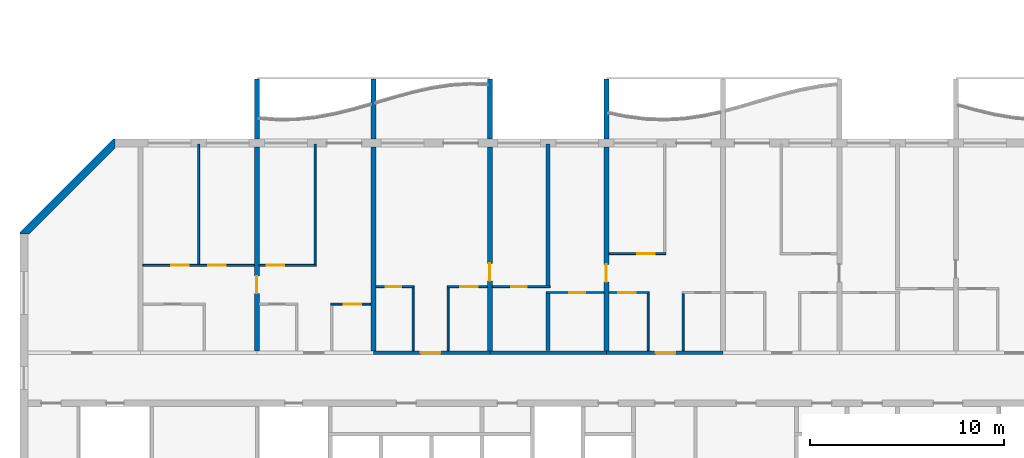
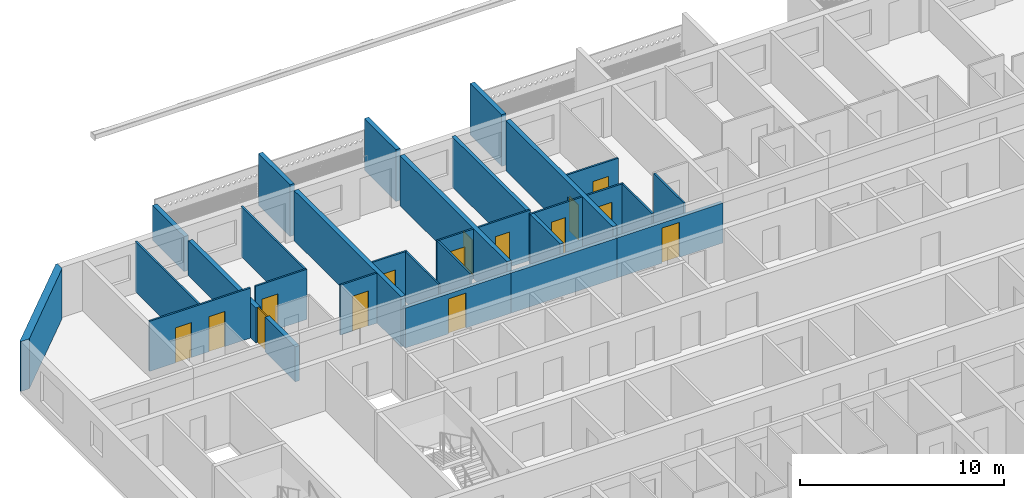
# One storey, part 10 of 20: 29 walls, 15 doors, 15 openings.
"""IFC4 building model written with IfcOpenShell, lengths in metres."""

from ifc_helpers import new_model, si_unit, direction, frame, frame_2d, origin, place, context, subcontext, project, spatial, polyline, rectangle, outline, extrude, source, transform, mapped, material, layer, layer_set, type_object, element, fill, save


model = new_model("IFC4")

# Units and contexts
model_context = context("Model", 3, precision=1e-05, world=origin(), true_north=direction((0.0, 1.0)))
body_context = subcontext(model_context, "Body", "Model", "MODEL_VIEW")
ifc_project = project(units=[si_unit("LENGTHUNIT", "METRE"), si_unit("AREAUNIT", "SQUARE_METRE"), si_unit("VOLUMEUNIT", "CUBIC_METRE"), si_unit("PLANEANGLEUNIT", "RADIAN"), si_unit("MASSUNIT", "GRAM", prefix="KILO")], contexts=[model_context])

# Site, building, storey
site_placement = place(None, origin())
site = spatial("IfcSite", under=ifc_project, at=site_placement, CompositionType="ELEMENT")
building_placement = place(site_placement, origin())
building = spatial("IfcBuilding", under=site, at=building_placement, Name="Poui Terraces", CompositionType="ELEMENT")
storey_placement = place(building_placement, frame((0.0, 0.0, 257.699951171875)))
storey = spatial("IfcBuildingStorey", under=building, at=storey_placement, Name="L72", CompositionType="ELEMENT", Elevation=257.699951171875)

# Wall, opening, door
ifc_material_1 = material(Name="Concrete 50 MPa", Category="concrete")
ifc_layer_1 = layer(ifc_material_1, 0.199951171875)
ifc_layer_set_1 = layer_set([ifc_layer_1], Name="Concrete 50 MPa")
wall_type_1 = type_object("IfcWallType", Name="CORRIDOR WALL 200 50MPa", PredefinedType="SHEAR", material=ifc_layer_set_1)
wall_1_placement = place(storey_placement, frame((36.0, 30.39990234375, 0.0), z_axis=(0.0, 0.0, 1.0), x_axis=(1.0, 0.0, 0.0)))
wall_1 = element("IfcWall", 1, at=wall_1_placement, inside=storey, type_object=wall_type_1, Name="CORRIDOR WALL LINE E BAY 4", PredefinedType="SHEAR", context=body_context, shape_type="SweptSolid", body=[
    extrude(rectangle(XDim=6.0, YDim=0.199951171875, at=frame_2d((3.0, 0.0))), origin(), (0.0, 0.0, 1.0), 2.400146484375),
])
opening_1_placement = place(wall_1_placement, frame((2.449951171875, 0.0, 0.0)))
opening_1 = element("IfcOpeningElement", 2, at=opening_1_placement, cuts=wall_1, Name="Opening FD30S", PredefinedType="OPENING", context=body_context, shape_type="SweptSolid", body=[
    extrude(rectangle(XDim=1.0, YDim=2.10009765625, at=frame_2d((0.5, 1.050048828125))), frame((0.0, 0.10986328125, 0.0), z_axis=(0.0, -1.0, 0.0), x_axis=(1.0, 0.0, 0.0)), (0.0, 0.0, 1.0), 0.219970703125),
])
ifc_material_2 = material(Name="Steel fire door", Category="steel")
door_type_1 = type_object("IfcDoorType", Name="FLAT ENTRANCE DOOR 1000 X 2100", OperationType="NOTDEFINED", PredefinedType="DOOR", material=ifc_material_2)
door_1_placement = place(opening_1_placement, origin())
door_1 = element("IfcDoor", 3, at=door_1_placement, inside=storey, type_object=door_type_1, Name="FLAT ENTRANCE DOOR 037", OperationType="SINGLE_SWING_LEFT", OverallHeight=2.10009765625, OverallWidth=1.0, PredefinedType="DOOR", context=body_context, shape_type="SweptSolid", body=[
    extrude(rectangle(XDim=1.0, YDim=2.10009765625, at=frame_2d((0.5, 1.050048828125))), frame((0.0, 0.02490234375, 0.0), z_axis=(0.0, -1.0, 0.0), x_axis=(1.0, 0.0, 0.0)), (0.0, 0.0, 1.0), 0.050048828125),
])
fill(opening_1, door_1)

# Wall
wall_2_placement = place(storey_placement, frame((42.0, 30.39990234375, 0.0), z_axis=(0.0, 0.0, 1.0), x_axis=(1.0, 0.0, 0.0)))
element("IfcWall", 4, at=wall_2_placement, inside=storey, type_object=wall_type_1, Name="CORRIDOR WALL LINE E BAY 5", PredefinedType="SHEAR", context=body_context, shape_type="SweptSolid", body=[
    extrude(rectangle(XDim=6.0, YDim=0.199951171875, at=frame_2d((3.0, 0.0))), origin(), (0.0, 0.0, 1.0), 2.400146484375),
])

# Wall, opening, door
wall_3_placement = place(storey_placement, frame((48.0, 30.39990234375, 0.0), z_axis=(0.0, 0.0, 1.0), x_axis=(1.0, 0.0, 0.0)))
wall_3 = element("IfcWall", 5, at=wall_3_placement, inside=storey, type_object=wall_type_1, Name="CORRIDOR WALL LINE E BAY 6", PredefinedType="SHEAR", context=body_context, shape_type="SweptSolid", body=[
    extrude(rectangle(XDim=6.0, YDim=0.199951171875, at=frame_2d((3.0, 0.0))), origin(), (0.0, 0.0, 1.0), 2.400146484375),
])
opening_2_placement = place(wall_3_placement, frame((2.550048828125, 0.0, 0.0)))
opening_2 = element("IfcOpeningElement", 6, at=opening_2_placement, cuts=wall_3, Name="Opening FD30S", PredefinedType="OPENING", context=body_context, shape_type="SweptSolid", body=[
    extrude(rectangle(XDim=1.0, YDim=2.10009765625, at=frame_2d((0.5, 1.050048828125))), frame((0.0, 0.10986328125, 0.0), z_axis=(0.0, -1.0, 0.0), x_axis=(1.0, 0.0, 0.0)), (0.0, 0.0, 1.0), 0.219970703125),
])
door_2_placement = place(opening_2_placement, origin())
door_2 = element("IfcDoor", 7, at=door_2_placement, inside=storey, type_object=door_type_1, Name="FLAT ENTRANCE DOOR 044", OperationType="SINGLE_SWING_RIGHT", OverallHeight=2.10009765625, OverallWidth=1.0, PredefinedType="DOOR", context=body_context, shape_type="SweptSolid", body=[
    extrude(rectangle(XDim=1.0, YDim=2.10009765625, at=frame_2d((0.5, 1.050048828125))), frame((0.0, 0.02490234375, 0.0), z_axis=(0.0, -1.0, 0.0), x_axis=(1.0, 0.0, 0.0)), (0.0, 0.0, 1.0), 0.050048828125),
])
fill(opening_2, door_2)

# Wall
ifc_layer_2 = layer(ifc_material_1, 0.25)
ifc_layer_set_2 = layer_set([ifc_layer_2], Name="Concrete 50 MPa")
wall_type_2 = type_object("IfcWallType", Name="CROSS WALL 250 50MPa", PredefinedType="SHEAR", material=ifc_layer_set_2)
wall_4_placement = place(storey_placement, frame((36.0, 30.5, 0.0), z_axis=(0.0, 0.0, 1.0), x_axis=(0.0, 1.0, 0.0)))
element("IfcWall", 8, at=wall_4_placement, inside=storey, type_object=wall_type_2, Name="CROSS WALL LINE 7 NORTH", PredefinedType="SHEAR", context=body_context, shape_type="SweptSolid", body=[
    extrude(rectangle(XDim=10.5, YDim=0.25, at=frame_2d((5.25, 0.0))), origin(), (0.0, 0.0, 1.0), 3.0),
])

# Wall, opening, door
wall_5_placement = place(storey_placement, frame((42.0, 30.5, 0.0), z_axis=(0.0, 0.0, 1.0), x_axis=(0.0, 1.0, 0.0)))
wall_5 = element("IfcWall", 9, at=wall_5_placement, inside=storey, type_object=wall_type_2, Name="CROSS WALL LINE 8 NORTH", PredefinedType="SHEAR", context=body_context, shape_type="SweptSolid", body=[
    extrude(rectangle(XDim=10.5, YDim=0.25, at=frame_2d((5.25, 0.0))), origin(), (0.0, 0.0, 1.0), 3.0),
])
opening_3_placement = place(wall_5_placement, frame((3.60009765625, 0.0, 0.0)))
opening_3 = element("IfcOpeningElement", 10, at=opening_3_placement, cuts=wall_5, Name="Opening D90", PredefinedType="OPENING", context=body_context, shape_type="SweptSolid", body=[
    extrude(rectangle(XDim=0.89990234375, YDim=2.10009765625, at=frame_2d((0.449951171875, 1.050048828125))), frame((0.0, 0.135009765625, 0.0), z_axis=(0.0, -1.0, 0.0), x_axis=(1.0, 0.0, 0.0)), (0.0, 0.0, 1.0), 0.27001953125),
])
ifc_material_3 = material(Name="Solid core timber door", Category="wood")
door_type_2 = type_object("IfcDoorType", Name="INTERNAL DOOR 900 X 2100", OperationType="NOTDEFINED", PredefinedType="DOOR", material=ifc_material_3)
door_3_placement = place(opening_3_placement, frame((0.89990234375, 0.0, 0.0), z_axis=(0.0, 0.0, 1.0), x_axis=(-1.0, 0.0, 0.0)))
door_3 = element("IfcDoor", 11, at=door_3_placement, inside=storey, type_object=door_type_2, Name="INTERNAL DOOR 039", OperationType="SINGLE_SWING_RIGHT", OverallHeight=2.10009765625, OverallWidth=0.89990234375, PredefinedType="DOOR", context=body_context, shape_type="SweptSolid", body=[
    extrude(rectangle(XDim=0.89990234375, YDim=2.10009765625, at=frame_2d((0.449951171875, 1.050048828125))), frame((0.0, 0.02490234375, 0.0), z_axis=(0.0, -1.0, 0.0), x_axis=(1.0, 0.0, 0.0)), (0.0, 0.0, 1.0), 0.050048828125),
])
fill(opening_3, door_3)

wall_6_placement = place(storey_placement, frame((48.0, 30.5, 0.0), z_axis=(0.0, 0.0, 1.0), x_axis=(0.0, 1.0, 0.0)))
wall_6 = element("IfcWall", 12, at=wall_6_placement, inside=storey, type_object=wall_type_2, Name="CROSS WALL LINE 9 NORTH", PredefinedType="SHEAR", context=body_context, shape_type="SweptSolid", body=[
    extrude(rectangle(XDim=10.5, YDim=0.25, at=frame_2d((5.25, 0.0))), origin(), (0.0, 0.0, 1.0), 3.0),
])
opening_4_placement = place(wall_6_placement, frame((3.550048828125, 0.0, 0.0)))
opening_4 = element("IfcOpeningElement", 13, at=opening_4_placement, cuts=wall_6, Name="Opening D90", PredefinedType="OPENING", context=body_context, shape_type="SweptSolid", body=[
    extrude(rectangle(XDim=0.89990234375, YDim=2.10009765625, at=frame_2d((0.449951171875, 1.050048828125))), frame((0.0, 0.135009765625, 0.0), z_axis=(0.0, -1.0, 0.0), x_axis=(1.0, 0.0, 0.0)), (0.0, 0.0, 1.0), 0.27001953125),
])
door_4_placement = place(opening_4_placement, origin())
door_4 = element("IfcDoor", 14, at=door_4_placement, inside=storey, type_object=door_type_2, Name="INTERNAL DOOR 041", OperationType="SINGLE_SWING_LEFT", OverallHeight=2.10009765625, OverallWidth=0.89990234375, PredefinedType="DOOR", context=body_context, shape_type="SweptSolid", body=[
    extrude(rectangle(XDim=0.89990234375, YDim=2.10009765625, at=frame_2d((0.449951171875, 1.050048828125))), frame((0.0, 0.02490234375, 0.0), z_axis=(0.0, -1.0, 0.0), x_axis=(1.0, 0.0, 0.0)), (0.0, 0.0, 1.0), 0.050048828125),
])
fill(opening_4, door_4)

ifc_layer_3 = layer(ifc_material_1, 0.25)
ifc_layer_set_3 = layer_set([ifc_layer_3], Name="Concrete 50 MPa")
wall_type_3 = type_object("IfcWallType", Name="CROSS WALL UNDER WALL BEAM 250 50MPa", PredefinedType="SHEAR", material=ifc_layer_set_3)
wall_7_placement = place(storey_placement, frame((30.0, 30.5, 0.0), z_axis=(0.0, 0.0, 1.0), x_axis=(0.0, 1.0, 0.0)))
wall_7 = element("IfcWall", 15, at=wall_7_placement, inside=storey, type_object=wall_type_3, Name="CROSS WALL LINE 6 NORTH", PredefinedType="SHEAR", context=body_context, shape_type="SweptSolid", body=[
    extrude(rectangle(XDim=10.5, YDim=0.25, at=frame_2d((5.25, 0.0))), origin(), (0.0, 0.0, 1.0), 2.10009765625),
])
opening_5_placement = place(wall_7_placement, frame((2.949951171875, 0.0, 0.0)))
opening_5 = element("IfcOpeningElement", 16, at=opening_5_placement, cuts=wall_7, Name="Opening D90", PredefinedType="OPENING", context=body_context, shape_type="SweptSolid", body=[
    extrude(rectangle(XDim=0.89990234375, YDim=2.10009765625, at=frame_2d((0.449951171875, 1.050048828125))), frame((0.0, 0.135009765625, 0.0), z_axis=(0.0, -1.0, 0.0), x_axis=(1.0, 0.0, 0.0)), (0.0, 0.0, 1.0), 0.27001953125),
])
door_5_placement = place(opening_5_placement, frame((0.89990234375, 0.0, 0.0), z_axis=(0.0, 0.0, 1.0), x_axis=(-1.0, 0.0, 0.0)))
door_5 = element("IfcDoor", 17, at=door_5_placement, inside=storey, type_object=door_type_2, Name="INTERNAL DOOR 030", OperationType="SINGLE_SWING_RIGHT", OverallHeight=2.10009765625, OverallWidth=0.89990234375, PredefinedType="DOOR", context=body_context, shape_type="SweptSolid", body=[
    extrude(rectangle(XDim=0.89990234375, YDim=2.10009765625, at=frame_2d((0.449951171875, 1.050048828125))), frame((0.0, 0.02490234375, 0.0), z_axis=(0.0, -1.0, 0.0), x_axis=(1.0, 0.0, 0.0)), (0.0, 0.0, 1.0), 0.050048828125),
])
fill(opening_5, door_5)

ifc_material_4 = material(Name="Plasterboard partition")
ifc_layer_4 = layer(ifc_material_4, 0.10009765625)
ifc_layer_set_4 = layer_set([ifc_layer_4], Name="Plasterboard partition")
wall_type_4 = type_object("IfcWallType", Name="FLAT PARTITION 100", PredefinedType="PARTITIONING", material=ifc_layer_set_4)
wall_8_placement = place(storey_placement, frame((33.800048828125, 32.89990234375, 0.0), z_axis=(0.0, 0.0, 1.0), x_axis=(1.0, 0.0, 0.0)))
wall_8 = element("IfcWall", 18, at=wall_8_placement, inside=storey, type_object=wall_type_4, Name="FLAT PARTITION 100", PredefinedType="PARTITIONING", context=body_context, shape_type="SweptSolid", body=[
    extrude(rectangle(XDim=2.06494140625, YDim=0.10009765625, at=frame_2d((1.032470703125, 0.0))), origin(), (0.0, 0.0, 1.0), 3.0),
])
opening_6_placement = place(wall_8_placement, frame((0.675048828125, 0.0, 0.0)))
opening_6 = element("IfcOpeningElement", 19, at=opening_6_placement, cuts=wall_8, Name="Opening D90", PredefinedType="OPENING", context=body_context, shape_type="SweptSolid", body=[
    extrude(rectangle(XDim=0.89990234375, YDim=2.10009765625, at=frame_2d((0.449951171875, 1.050048828125))), frame((0.0, 0.06005859375, 0.0), z_axis=(0.0, -1.0, 0.0), x_axis=(1.0, 0.0, 0.0)), (0.0, 0.0, 1.0), 0.1201171875),
])
door_6_placement = place(opening_6_placement, frame((0.89990234375, 0.0, 0.0), z_axis=(0.0, 0.0, 1.0), x_axis=(-1.0, 0.0, 0.0)))
door_6 = element("IfcDoor", 20, at=door_6_placement, inside=storey, type_object=door_type_2, Name="INTERNAL DOOR 034", OperationType="SINGLE_SWING_LEFT", OverallHeight=2.10009765625, OverallWidth=0.89990234375, PredefinedType="DOOR", context=body_context, shape_type="SweptSolid", body=[
    extrude(rectangle(XDim=0.89990234375, YDim=2.10009765625, at=frame_2d((0.449951171875, 1.050048828125))), frame((0.0, 0.02490234375, 0.0), z_axis=(0.0, -1.0, 0.0), x_axis=(1.0, 0.0, 0.0)), (0.0, 0.0, 1.0), 0.050048828125),
])
fill(opening_6, door_6)

wall_9_placement = place(storey_placement, frame((44.89990234375, 33.5, 0.0), z_axis=(0.0, 0.0, 1.0), x_axis=(1.0, 0.0, 0.0)))
wall_9 = element("IfcWall", 21, at=wall_9_placement, inside=storey, type_object=wall_type_4, Name="FLAT PARTITION 100", PredefinedType="PARTITIONING", context=body_context, shape_type="SweptSolid", body=[
    extrude(rectangle(XDim=2.965087890625, YDim=0.10009765625, at=frame_2d((1.482421875, 0.0))), origin(), (0.0, 0.0, 1.0), 3.0),
])
opening_7_placement = place(wall_9_placement, frame((1.199951171875, 0.0, 0.0)))
opening_7 = element("IfcOpeningElement", 22, at=opening_7_placement, cuts=wall_9, Name="Opening D80", PredefinedType="OPENING", context=body_context, shape_type="SweptSolid", body=[
    extrude(rectangle(XDim=0.800048828125, YDim=2.10009765625, at=frame_2d((0.39990234375, 1.050048828125))), frame((0.0, 0.06005859375, 0.0), z_axis=(0.0, -1.0, 0.0), x_axis=(1.0, 0.0, 0.0)), (0.0, 0.0, 1.0), 0.1201171875),
])
door_type_3 = type_object("IfcDoorType", Name="BATHROOM, LAUNDRY AND STORE DOOR 800 X 2100", OperationType="NOTDEFINED", PredefinedType="DOOR", material=ifc_material_3)
door_7_placement = place(opening_7_placement, frame((0.800048828125, 0.0, 0.0), z_axis=(0.0, 0.0, 1.0), x_axis=(-1.0, 0.0, 0.0)))
door_7 = element("IfcDoor", 23, at=door_7_placement, inside=storey, type_object=door_type_3, Name="BATHROOM, LAUNDRY AND STORE DOOR 040", OperationType="SINGLE_SWING_LEFT", OverallHeight=2.10009765625, OverallWidth=0.800048828125, PredefinedType="DOOR", context=body_context, shape_type="SweptSolid", body=[
    extrude(rectangle(XDim=0.800048828125, YDim=2.10009765625, at=frame_2d((0.39990234375, 1.050048828125))), frame((0.0, 0.02490234375, 0.0), z_axis=(0.0, -1.0, 0.0), x_axis=(1.0, 0.0, 0.0)), (0.0, 0.0, 1.0), 0.050048828125),
])
fill(opening_7, door_7)

wall_10_placement = place(storey_placement, frame((48.135009765625, 33.5, 0.0), z_axis=(0.0, 0.0, 1.0), x_axis=(1.0, 0.0, 0.0)))
wall_10 = element("IfcWall", 24, at=wall_10_placement, inside=storey, type_object=wall_type_4, Name="FLAT PARTITION 100", PredefinedType="PARTITIONING", context=body_context, shape_type="SweptSolid", body=[
    extrude(rectangle(XDim=2.06494140625, YDim=0.10009765625, at=frame_2d((1.032470703125, 0.0))), origin(), (0.0, 0.0, 1.0), 3.0),
])
opening_8_placement = place(wall_10_placement, frame((0.489990234375, 0.0, 0.0)))
opening_8 = element("IfcOpeningElement", 25, at=opening_8_placement, cuts=wall_10, Name="Opening D90", PredefinedType="OPENING", context=body_context, shape_type="SweptSolid", body=[
    extrude(rectangle(XDim=0.89990234375, YDim=2.10009765625, at=frame_2d((0.449951171875, 1.050048828125))), frame((0.0, 0.06005859375, 0.0), z_axis=(0.0, -1.0, 0.0), x_axis=(1.0, 0.0, 0.0)), (0.0, 0.0, 1.0), 0.1201171875),
])
door_8_placement = place(opening_8_placement, frame((0.89990234375, 0.0, 0.0), z_axis=(0.0, 0.0, 1.0), x_axis=(-1.0, 0.0, 0.0)))
door_8 = element("IfcDoor", 26, at=door_8_placement, inside=storey, type_object=door_type_2, Name="INTERNAL DOOR 042", OperationType="SINGLE_SWING_LEFT", OverallHeight=2.10009765625, OverallWidth=0.89990234375, PredefinedType="DOOR", context=body_context, shape_type="SweptSolid", body=[
    extrude(rectangle(XDim=0.89990234375, YDim=2.10009765625, at=frame_2d((0.449951171875, 1.050048828125))), frame((0.0, 0.02490234375, 0.0), z_axis=(0.0, -1.0, 0.0), x_axis=(1.0, 0.0, 0.0)), (0.0, 0.0, 1.0), 0.050048828125),
])
fill(opening_8, door_8)

wall_11_placement = place(storey_placement, frame((36.135009765625, 33.800048828125, 0.0), z_axis=(0.0, 0.0, 1.0), x_axis=(1.0, 0.0, 0.0)))
wall_11 = element("IfcWall", 27, at=wall_11_placement, inside=storey, type_object=wall_type_4, Name="FLAT PARTITION 100", PredefinedType="PARTITIONING", context=body_context, shape_type="SweptSolid", body=[
    extrude(rectangle(XDim=1.965087890625, YDim=0.10009765625, at=frame_2d((0.982421875, 0.0))), origin(), (0.0, 0.0, 1.0), 3.0),
])
opening_9_placement = place(wall_11_placement, frame((0.489990234375, 0.0, 0.0)))
opening_9 = element("IfcOpeningElement", 28, at=opening_9_placement, cuts=wall_11, Name="Opening D80", PredefinedType="OPENING", context=body_context, shape_type="SweptSolid", body=[
    extrude(rectangle(XDim=0.800048828125, YDim=2.10009765625, at=frame_2d((0.39990234375, 1.050048828125))), frame((0.0, 0.06005859375, 0.0), z_axis=(0.0, -1.0, 0.0), x_axis=(1.0, 0.0, 0.0)), (0.0, 0.0, 1.0), 0.1201171875),
])
door_9_placement = place(opening_9_placement, frame((0.800048828125, 0.0, 0.0), z_axis=(0.0, 0.0, 1.0), x_axis=(-1.0, 0.0, 0.0)))
door_9 = element("IfcDoor", 29, at=door_9_placement, inside=storey, type_object=door_type_3, Name="BATHROOM, LAUNDRY AND STORE DOOR 036", OperationType="SINGLE_SWING_LEFT", OverallHeight=2.10009765625, OverallWidth=0.800048828125, PredefinedType="DOOR", context=body_context, shape_type="SweptSolid", body=[
    extrude(rectangle(XDim=0.800048828125, YDim=2.10009765625, at=frame_2d((0.39990234375, 1.050048828125))), frame((0.0, 0.02490234375, 0.0), z_axis=(0.0, -1.0, 0.0), x_axis=(1.0, 0.0, 0.0)), (0.0, 0.0, 1.0), 0.050048828125),
])
fill(opening_9, door_9)

wall_12_placement = place(storey_placement, frame((39.800048828125, 33.800048828125, 0.0), z_axis=(0.0, 0.0, 1.0), x_axis=(1.0, 0.0, 0.0)))
wall_12 = element("IfcWall", 30, at=wall_12_placement, inside=storey, type_object=wall_type_4, Name="FLAT PARTITION 100", PredefinedType="PARTITIONING", context=body_context, shape_type="SweptSolid", body=[
    extrude(rectangle(XDim=2.06494140625, YDim=0.10009765625, at=frame_2d((1.032470703125, 0.0))), origin(), (0.0, 0.0, 1.0), 3.0),
])
opening_10_placement = place(wall_12_placement, frame((0.675048828125, 0.0, 0.0)))
opening_10 = element("IfcOpeningElement", 31, at=opening_10_placement, cuts=wall_12, Name="Opening D90", PredefinedType="OPENING", context=body_context, shape_type="SweptSolid", body=[
    extrude(rectangle(XDim=0.89990234375, YDim=2.10009765625, at=frame_2d((0.449951171875, 1.050048828125))), frame((0.0, 0.06005859375, 0.0), z_axis=(0.0, -1.0, 0.0), x_axis=(1.0, 0.0, 0.0)), (0.0, 0.0, 1.0), 0.1201171875),
])
door_10_placement = place(opening_10_placement, frame((0.89990234375, 0.0, 0.0), z_axis=(0.0, 0.0, 1.0), x_axis=(-1.0, 0.0, 0.0)))
door_10 = element("IfcDoor", 32, at=door_10_placement, inside=storey, type_object=door_type_2, Name="INTERNAL DOOR 038", OperationType="SINGLE_SWING_RIGHT", OverallHeight=2.10009765625, OverallWidth=0.89990234375, PredefinedType="DOOR", context=body_context, shape_type="SweptSolid", body=[
    extrude(rectangle(XDim=0.89990234375, YDim=2.10009765625, at=frame_2d((0.449951171875, 1.050048828125))), frame((0.0, 0.02490234375, 0.0), z_axis=(0.0, -1.0, 0.0), x_axis=(1.0, 0.0, 0.0)), (0.0, 0.0, 1.0), 0.050048828125),
])
fill(opening_10, door_10)

wall_13_placement = place(storey_placement, frame((42.135009765625, 33.800048828125, 0.0), z_axis=(0.0, 0.0, 1.0), x_axis=(1.0, 0.0, 0.0)))
wall_13 = element("IfcWall", 33, at=wall_13_placement, inside=storey, type_object=wall_type_4, Name="FLAT PARTITION 100", PredefinedType="PARTITIONING", context=body_context, shape_type="SweptSolid", body=[
    extrude(rectangle(XDim=2.965087890625, YDim=0.10009765625, at=frame_2d((1.482421875, 0.0))), origin(), (0.0, 0.0, 1.0), 3.0),
])
opening_11_placement = place(wall_13_placement, frame((0.965087890625, 0.0, 0.0)))
opening_11 = element("IfcOpeningElement", 34, at=opening_11_placement, cuts=wall_13, Name="Opening D80", PredefinedType="OPENING", context=body_context, shape_type="SweptSolid", body=[
    extrude(rectangle(XDim=0.800048828125, YDim=2.10009765625, at=frame_2d((0.39990234375, 1.050048828125))), frame((0.0, 0.06005859375, 0.0), z_axis=(0.0, -1.0, 0.0), x_axis=(1.0, 0.0, 0.0)), (0.0, 0.0, 1.0), 0.1201171875),
])
door_11_placement = place(opening_11_placement, frame((0.800048828125, 0.0, 0.0), z_axis=(0.0, 0.0, 1.0), x_axis=(-1.0, 0.0, 0.0)))
door_11 = element("IfcDoor", 35, at=door_11_placement, inside=storey, type_object=door_type_3, Name="BATHROOM, LAUNDRY AND STORE DOOR 035", OperationType="SINGLE_SWING_RIGHT", OverallHeight=2.10009765625, OverallWidth=0.800048828125, PredefinedType="DOOR", context=body_context, shape_type="SweptSolid", body=[
    extrude(rectangle(XDim=0.800048828125, YDim=2.10009765625, at=frame_2d((0.39990234375, 1.050048828125))), frame((0.0, 0.02490234375, 0.0), z_axis=(0.0, -1.0, 0.0), x_axis=(1.0, 0.0, 0.0)), (0.0, 0.0, 1.0), 0.050048828125),
])
fill(opening_11, door_11)

# Wall, openings, doors
wall_14_placement = place(storey_placement, frame((24.135009765625, 34.89990234375, 0.0), z_axis=(0.0, 0.0, 1.0), x_axis=(1.0, 0.0, 0.0)))
wall_14 = element("IfcWall", 36, at=wall_14_placement, inside=storey, type_object=wall_type_4, Name="FLAT PARTITION 100", PredefinedType="PARTITIONING", context=body_context, shape_type="SweptSolid", body=[
    extrude(rectangle(XDim=5.72998046875, YDim=0.10009765625, at=frame_2d((2.864990234375, 0.0))), origin(), (0.0, 0.0, 1.0), 3.0),
])
opening_12_placement = place(wall_14_placement, frame((1.465087890625, 0.0, 0.0)))
opening_12 = element("IfcOpeningElement", 37, at=opening_12_placement, cuts=wall_14, Name="Opening D90", PredefinedType="OPENING", context=body_context, shape_type="SweptSolid", body=[
    extrude(rectangle(XDim=0.89990234375, YDim=2.10009765625, at=frame_2d((0.449951171875, 1.050048828125))), frame((0.0, 0.06005859375, 0.0), z_axis=(0.0, -1.0, 0.0), x_axis=(1.0, 0.0, 0.0)), (0.0, 0.0, 1.0), 0.1201171875),
])
opening_13_placement = place(wall_14_placement, frame((3.364990234375, 0.0, 0.0)))
opening_13 = element("IfcOpeningElement", 38, at=opening_13_placement, cuts=wall_14, Name="Opening D90", PredefinedType="OPENING", context=body_context, shape_type="SweptSolid", body=[
    extrude(rectangle(XDim=0.89990234375, YDim=2.10009765625, at=frame_2d((0.449951171875, 1.050048828125))), frame((0.0, 0.06005859375, 0.0), z_axis=(0.0, -1.0, 0.0), x_axis=(1.0, 0.0, 0.0)), (0.0, 0.0, 1.0), 0.1201171875),
])
door_12_placement = place(opening_12_placement, origin())
door_12 = element("IfcDoor", 39, at=door_12_placement, inside=storey, type_object=door_type_2, Name="INTERNAL DOOR 028", OperationType="SINGLE_SWING_RIGHT", OverallHeight=2.10009765625, OverallWidth=0.89990234375, PredefinedType="DOOR", context=body_context, shape_type="SweptSolid", body=[
    extrude(rectangle(XDim=0.89990234375, YDim=2.10009765625, at=frame_2d((0.449951171875, 1.050048828125))), frame((0.0, 0.02490234375, 0.0), z_axis=(0.0, -1.0, 0.0), x_axis=(1.0, 0.0, 0.0)), (0.0, 0.0, 1.0), 0.050048828125),
])
fill(opening_12, door_12)
door_13_placement = place(opening_13_placement, origin())
door_13 = element("IfcDoor", 40, at=door_13_placement, inside=storey, type_object=door_type_2, Name="INTERNAL DOOR 029", OperationType="SINGLE_SWING_LEFT", OverallHeight=2.10009765625, OverallWidth=0.89990234375, PredefinedType="DOOR", context=body_context, shape_type="SweptSolid", body=[
    extrude(rectangle(XDim=0.89990234375, YDim=2.10009765625, at=frame_2d((0.449951171875, 1.050048828125))), frame((0.0, 0.02490234375, 0.0), z_axis=(0.0, -1.0, 0.0), x_axis=(1.0, 0.0, 0.0)), (0.0, 0.0, 1.0), 0.050048828125),
])
fill(opening_13, door_13)

# Wall, opening, door
wall_15_placement = place(storey_placement, frame((30.135009765625, 34.89990234375, 0.0), z_axis=(0.0, 0.0, 1.0), x_axis=(1.0, 0.0, 0.0)))
wall_15 = element("IfcWall", 41, at=wall_15_placement, inside=storey, type_object=wall_type_4, Name="FLAT PARTITION 100", PredefinedType="PARTITIONING", context=body_context, shape_type="SweptSolid", body=[
    extrude(rectangle(XDim=2.9150390625, YDim=0.10009765625, at=frame_2d((1.45751953125, 0.0))), origin(), (0.0, 0.0, 1.0), 3.0),
])
opening_14_placement = place(wall_15_placement, frame((0.364990234375, 0.0, 0.0)))
opening_14 = element("IfcOpeningElement", 42, at=opening_14_placement, cuts=wall_15, Name="Opening D90", PredefinedType="OPENING", context=body_context, shape_type="SweptSolid", body=[
    extrude(rectangle(XDim=0.89990234375, YDim=2.10009765625, at=frame_2d((0.449951171875, 1.050048828125))), frame((0.0, 0.06005859375, 0.0), z_axis=(0.0, -1.0, 0.0), x_axis=(1.0, 0.0, 0.0)), (0.0, 0.0, 1.0), 0.1201171875),
])
door_14_placement = place(opening_14_placement, frame((0.89990234375, 0.0, 0.0), z_axis=(0.0, 0.0, 1.0), x_axis=(-1.0, 0.0, 0.0)))
door_14 = element("IfcDoor", 43, at=door_14_placement, inside=storey, type_object=door_type_2, Name="INTERNAL DOOR 031", OperationType="SINGLE_SWING_LEFT", OverallHeight=2.10009765625, OverallWidth=0.89990234375, PredefinedType="DOOR", context=body_context, shape_type="SweptSolid", body=[
    extrude(rectangle(XDim=0.89990234375, YDim=2.10009765625, at=frame_2d((0.449951171875, 1.050048828125))), frame((0.0, 0.02490234375, 0.0), z_axis=(0.0, -1.0, 0.0), x_axis=(1.0, 0.0, 0.0)), (0.0, 0.0, 1.0), 0.050048828125),
])
fill(opening_14, door_14)

wall_16_placement = place(storey_placement, frame((48.135009765625, 35.5, 0.0), z_axis=(0.0, 0.0, 1.0), x_axis=(1.0, 0.0, 0.0)))
wall_16 = element("IfcWall", 44, at=wall_16_placement, inside=storey, type_object=wall_type_4, Name="FLAT PARTITION 100", PredefinedType="PARTITIONING", context=body_context, shape_type="SweptSolid", body=[
    extrude(rectangle(XDim=2.9150390625, YDim=0.10009765625, at=frame_2d((1.45751953125, 0.0))), origin(), (0.0, 0.0, 1.0), 3.0),
])
opening_15_placement = place(wall_16_placement, frame((1.465087890625, 0.0, 0.0)))
opening_15 = element("IfcOpeningElement", 45, at=opening_15_placement, cuts=wall_16, Name="Opening D90", PredefinedType="OPENING", context=body_context, shape_type="SweptSolid", body=[
    extrude(rectangle(XDim=0.89990234375, YDim=2.10009765625, at=frame_2d((0.449951171875, 1.050048828125))), frame((0.0, 0.06005859375, 0.0), z_axis=(0.0, -1.0, 0.0), x_axis=(1.0, 0.0, 0.0)), (0.0, 0.0, 1.0), 0.1201171875),
])
door_15_placement = place(opening_15_placement, frame((0.89990234375, 0.0, 0.0), z_axis=(0.0, 0.0, 1.0), x_axis=(-1.0, 0.0, 0.0)))
door_15 = element("IfcDoor", 46, at=door_15_placement, inside=storey, type_object=door_type_2, Name="INTERNAL DOOR 043", OperationType="SINGLE_SWING_RIGHT", OverallHeight=2.10009765625, OverallWidth=0.89990234375, PredefinedType="DOOR", context=body_context, shape_type="SweptSolid", body=[
    extrude(rectangle(XDim=0.89990234375, YDim=2.10009765625, at=frame_2d((0.449951171875, 1.050048828125))), frame((0.0, 0.02490234375, 0.0), z_axis=(0.0, -1.0, 0.0), x_axis=(1.0, 0.0, 0.0)), (0.0, 0.0, 1.0), 0.050048828125),
])
fill(opening_15, door_15)

# Walls
for number, where, z_axis, x_axis, name in (
    (47, (27.0, 34.949951171875, 0.0), (0.0, 0.0, 1.0), (0.0, 1.0, 0.0), "FLAT PARTITION 100"),
    (48, (33.0, 34.949951171875, 0.0), (0.0, 0.0, 1.0), (0.0, 1.0, 0.0), "FLAT PARTITION 100"),
):
    element("IfcWall", number, at=place(storey_placement, frame(where, z_axis=z_axis, x_axis=x_axis)), inside=storey, type_object=wall_type_4, Name=name, PredefinedType="PARTITIONING", context=body_context, shape_type="SweptSolid", body=[
        extrude(rectangle(XDim=6.18994140625, YDim=0.10009765625, at=frame_2d((3.094970703125, 0.0))), origin(), (0.0, 0.0, 1.0), 3.0),
    ])
for number, where, z_axis, x_axis, name in (
    (49, (38.050048828125, 30.510009765625, 0.0), (0.0, 0.0, 1.0), (0.0, 1.0, 0.0), "FLAT PARTITION 100"),
    (50, (39.85009765625, 30.510009765625, 0.0), (0.0, 0.0, 1.0), (0.0, 1.0, 0.0), "FLAT PARTITION 100"),
):
    element("IfcWall", number, at=place(storey_placement, frame(where, z_axis=z_axis, x_axis=x_axis)), inside=storey, type_object=wall_type_4, Name=name, PredefinedType="PARTITIONING", context=body_context, shape_type="SweptSolid", body=[
        extrude(rectangle(XDim=3.239990234375, YDim=0.10009765625, at=frame_2d((1.6201171875, 0.0))), origin(), (0.0, 0.0, 1.0), 3.0),
    ])
for number, where, z_axis, x_axis, name in (
    (51, (50.14990234375, 30.510009765625, 0.0), (0.0, 0.0, 1.0), (0.0, 1.0, 0.0), "FLAT PARTITION 100"),
    (52, (51.949951171875, 30.510009765625, 0.0), (0.0, 0.0, 1.0), (0.0, 1.0, 0.0), "FLAT PARTITION 100"),
):
    element("IfcWall", number, at=place(storey_placement, frame(where, z_axis=z_axis, x_axis=x_axis)), inside=storey, type_object=wall_type_4, Name=name, PredefinedType="PARTITIONING", context=body_context, shape_type="SweptSolid", body=[
        extrude(rectangle(XDim=2.93994140625, YDim=0.10009765625, at=frame_2d((1.469970703125, 0.0))), origin(), (0.0, 0.0, 1.0), 3.0),
    ])
ifc_material_5 = material(Name="Fire-rated masonry wall", Category="masonry")
ifc_layer_5 = layer(ifc_material_5, 0.199951171875)
ifc_layer_set_5 = layer_set([ifc_layer_5], Name="Fire-rated masonry wall")
wall_type_5 = type_object("IfcWallType", Name="FLAT PARTY WALL 200", PredefinedType="PARTITIONING", material=ifc_layer_set_5)
wall_17_placement = place(storey_placement, frame((45.0, 30.510009765625, 0.0), z_axis=(0.0, 0.0, 1.0), x_axis=(0.0, 1.0, 0.0)))
element("IfcWall", 53, at=wall_17_placement, inside=storey, type_object=wall_type_5, Name="FLAT PARTY WALL 200", PredefinedType="PARTITIONING", context=body_context, shape_type="SweptSolid", body=[
    extrude(rectangle(XDim=2.93994140625, YDim=0.199951171875, at=frame_2d((1.469970703125, 0.0))), origin(), (0.0, 0.0, 1.0), 3.0),
])
wall_18_placement = place(storey_placement, frame((45.0, 33.85009765625, 0.0), z_axis=(0.0, 0.0, 1.0), x_axis=(0.0, 1.0, 0.0)))
element("IfcWall", 54, at=wall_18_placement, inside=storey, type_object=wall_type_5, Name="FLAT PARTY WALL 200", PredefinedType="PARTITIONING", context=body_context, shape_type="SweptSolid", body=[
    extrude(rectangle(XDim=7.289794921875, YDim=0.199951171875, at=frame_2d((3.64501953125, 0.0))), origin(), (0.0, 0.0, 1.0), 3.0),
])
ifc_material_6 = material(Name="Precast concrete 40 MPa", Category="concrete")
ifc_layer_6 = layer(ifc_material_6, 0.39990234375)
ifc_layer_set_6 = layer_set([ifc_layer_6], Name="Precast concrete 40 MPa")
wall_type_6 = type_object("IfcWallType", Name="TERRACOTTA CLAD CHAMFER WALL 400", PredefinedType="STANDARD", material=ifc_layer_set_6)
wall_19_placement = place(storey_placement, origin())
element("IfcWall", 55, at=wall_19_placement, inside=storey, type_object=wall_type_6, Name="CHAMFER WALL CH05", PredefinedType="STANDARD", context=body_context, shape_type="SweptSolid", body=[
    extrude(outline(polyline([(22.682861328125, 41.39990234375), (22.60009765625, 41.39990234375), (17.800048828125, 36.60009765625), (17.800048828125, 36.51708984375), (18.28271484375, 36.51708984375), (22.682861328125, 40.917236328125), (22.682861328125, 41.39990234375)])), origin(), (0.0, 0.0, 1.0), 3.0),
])
ifc_layer_7 = layer(ifc_material_6, 0.25)
ifc_layer_set_7 = layer_set([ifc_layer_7], Name="Precast concrete 40 MPa")
wall_type_7 = type_object("IfcWallType", Name="BALCONY FIN 250", PredefinedType="STANDARD", material=ifc_layer_set_7)
shared_shape_1 = source(origin(), body_context, "Body", "SweptSolid", [
    extrude(outline(polyline([(0.0, 0.0), (0.25, 0.0), (0.25, 3.10009765625), (0.0, 3.10009765625), (0.0, 0.0)])), origin(), (0.0, 0.0, 1.0), 3.10009765625),
])
for number, where, name in (
    (56, (35.875, 41.39990234375, 0.0), "BALCONY FIN"),
    (57, (41.875, 41.39990234375, 0.0), "BALCONY FIN"),
    (58, (47.875, 41.39990234375, 0.0), "BALCONY FIN"),
):
    element("IfcWall", number, at=place(storey_placement, frame(where)), inside=storey, type_object=wall_type_7, Name=name, PredefinedType="STANDARD", context=body_context, shape_type="MappedRepresentation", body=[
        mapped(shared_shape_1, transform((0.0, 0.0, 0.0))),
    ])
ifc_layer_8 = layer(ifc_material_6, 0.25)
ifc_layer_set_8 = layer_set([ifc_layer_8], Name="Precast concrete 40 MPa")
wall_type_8 = type_object("IfcWallType", Name="BALCONY FIN 250 SHORT", PredefinedType="STANDARD", material=ifc_layer_set_8)
shared_shape_2 = source(origin(), body_context, "Body", "SweptSolid", [
    extrude(outline(polyline([(0.0, 0.0), (0.25, 0.0), (0.25, 3.10009765625), (0.0, 3.10009765625), (0.0, 0.0)])), origin(), (0.0, 0.0, 1.0), 2.10009765625),
])
wall_20_placement = place(storey_placement, frame((29.875, 41.39990234375, 0.0)))
element("IfcWall", 59, at=wall_20_placement, inside=storey, type_object=wall_type_8, Name="BALCONY FIN", PredefinedType="STANDARD", context=body_context, shape_type="MappedRepresentation", body=[
    mapped(shared_shape_2, transform((0.0, 0.0, 0.0))),
])

save(model, "model.ifc")
